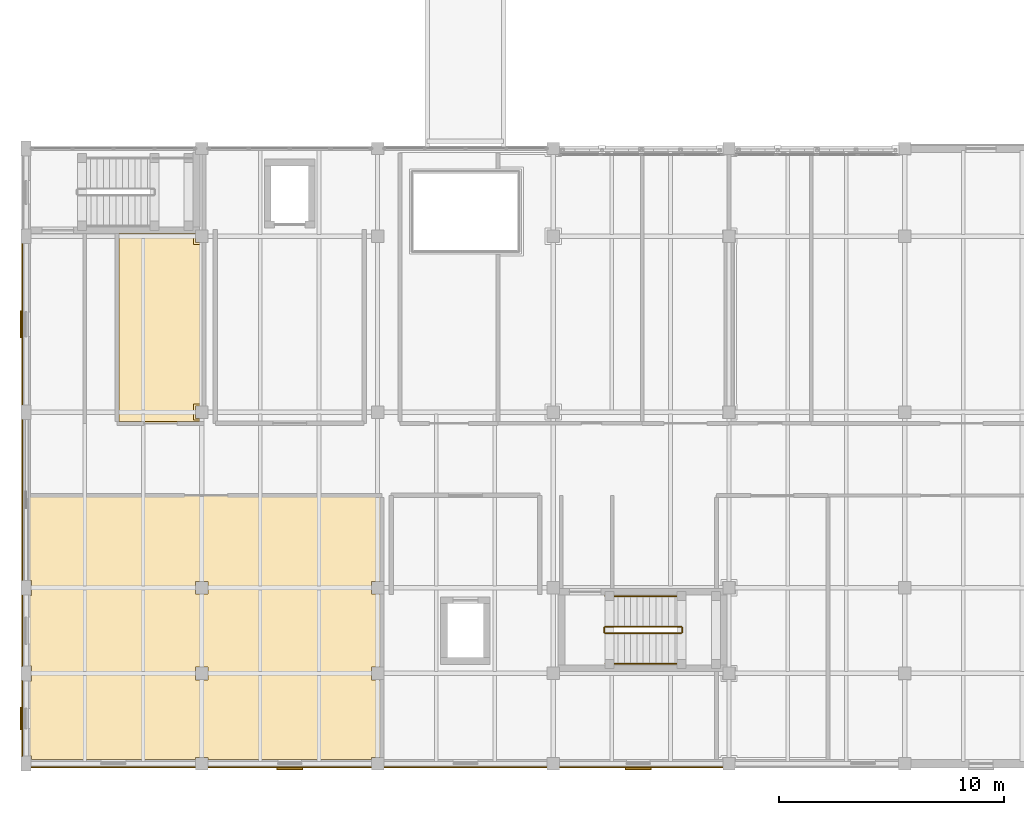
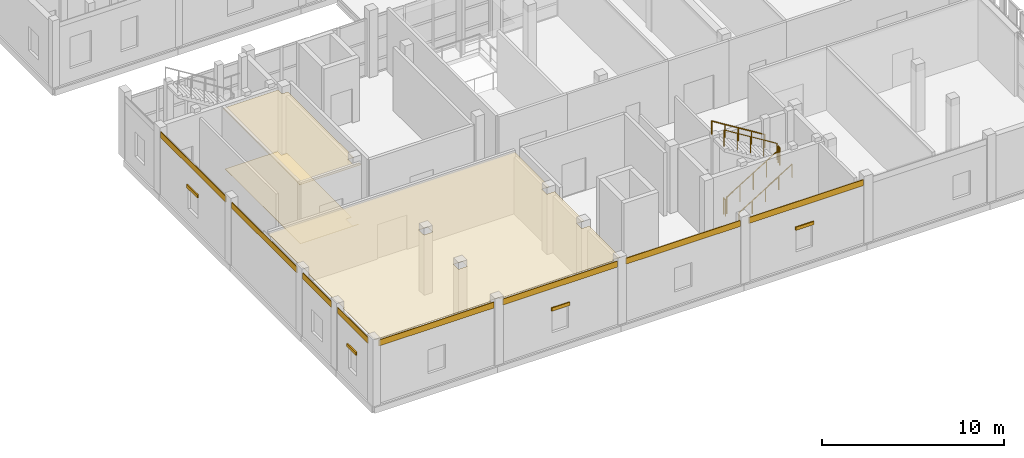
# One storey, part 102 of 119: 11 coverings, 6 railings, 4 shading devices.
"""IFC4 building model written with IfcOpenShell, lengths in metres."""

from ifc_helpers import new_model, si_unit, direction, frame, origin, origin_2d, place, context, subcontext, project, spatial, polyline, rectangle, circle, outline, extrude, material, layer, layer_set, type_object, element, save


model = new_model("IFC4")

# Units and contexts
model_context = context("Model", 3, precision=1e-05, world=origin(), true_north=direction((0.0, 1.0)))
body_context = subcontext(model_context, "Body", "Model", "MODEL_VIEW")
ifc_project = project(units=[si_unit("LENGTHUNIT", "METRE"), si_unit("AREAUNIT", "SQUARE_METRE"), si_unit("VOLUMEUNIT", "CUBIC_METRE"), si_unit("PLANEANGLEUNIT", "RADIAN"), si_unit("MASSUNIT", "GRAM", prefix="KILO")], contexts=[model_context])

# Site, building, storey
site_placement = place(None, origin())
site = spatial("IfcSite", under=ifc_project, at=site_placement, CompositionType="ELEMENT")
building_placement = place(site_placement, origin())
building = spatial("IfcBuilding", under=site, at=building_placement, Name="Celorna Specialist Clinic", CompositionType="ELEMENT")
storey_placement = place(building_placement, frame((0.0, 0.0, 9.60009765625)))
storey = spatial("IfcBuildingStorey", under=building, at=storey_placement, Name="L02", CompositionType="ELEMENT", Elevation=9.60009765625)

# Coverings
ifc_material_1 = material(Name="Hygienic acoustic mineral-fibre ceiling")
ifc_layer_1 = layer(ifc_material_1, 0.030029296875, Name="Hygienic acoustic mineral-fibre ceiling")
ifc_layer_set_1 = layer_set([ifc_layer_1], Name="Hygienic acoustic mineral-fibre ceiling")
covering_type_1 = type_object("IfcCoveringType", Name="CE-01", PredefinedType="CEILING", material=ifc_layer_set_1)
covering_1_placement = place(storey_placement, frame((0.0, 0.0, 4.02978515625)))
element("IfcCovering", 1, at=covering_1_placement, inside=storey, type_object=covering_type_1, Name="Acoustic ceiling L02-054", PredefinedType="CEILING", context=body_context, shape_type="SweptSolid", body=[
    extrude(outline(polyline([(0.175048828125, 3.669921875), (0.22998046875, 3.669921875), (0.22998046875, 4.330078125), (0.175048828125, 4.330078125), (0.175048828125, 7.469970703125), (0.22998046875, 7.469970703125), (0.22998046875, 8.1298828125), (0.175048828125, 8.1298828125), (0.175048828125, 11.9150390625), (15.804931640625, 11.9150390625), (15.804931640625, 8.080078125), (15.320068359375, 8.080078125), (15.320068359375, 7.52001953125), (15.804931640625, 7.52001953125), (15.804931640625, 4.280029296875), (15.320068359375, 4.280029296875), (15.320068359375, 3.719970703125), (15.804931640625, 3.719970703125), (15.804931640625, 0.280029296875), (15.320068359375, 0.280029296875), (15.320068359375, 0.175048828125), (8.080078125, 0.175048828125), (8.080078125, 0.280029296875), (7.52001953125, 0.280029296875), (7.52001953125, 0.175048828125), (0.22998046875, 0.175048828125), (0.22998046875, 0.330078125), (0.175048828125, 0.330078125), (0.175048828125, 3.669921875)]), holes=[polyline([(8.080078125, 4.280029296875), (7.52001953125, 4.280029296875), (7.52001953125, 3.719970703125), (8.080078125, 3.719970703125), (8.080078125, 4.280029296875)]), polyline([(8.080078125, 8.080078125), (7.52001953125, 8.080078125), (7.52001953125, 7.52001953125), (8.080078125, 7.52001953125), (8.080078125, 8.080078125)])]), origin(), (0.0, 0.0, 1.0), 0.030029296875),
])
covering_2_placement = place(storey_placement, frame((0.0, 0.0, 4.02978515625)))
element("IfcCovering", 2, at=covering_2_placement, inside=storey, type_object=covering_type_1, Name="Acoustic ceiling L02-057", PredefinedType="CEILING", context=body_context, shape_type="SweptSolid", body=[
    extrude(outline(polyline([(7.905029296875, 15.0849609375), (4.02490234375, 15.0849609375), (4.02490234375, 23.534912109375), (7.52001953125, 23.534912109375), (7.52001953125, 23.1201171875), (7.905029296875, 23.1201171875), (7.905029296875, 15.8798828125), (7.52001953125, 15.8798828125), (7.52001953125, 15.320068359375), (7.905029296875, 15.320068359375), (7.905029296875, 15.0849609375)])), origin(), (0.0, 0.0, 1.0), 0.030029296875),
])
ifc_material_2 = material(Name="Pero Pinheiro Lioz limestone rainscreen cladding", Category="masonry")
ifc_layer_2 = layer(ifc_material_2, 0.044921875, Name="Pero Pinheiro Lioz limestone rainscreen cladding")
ifc_layer_set_2 = layer_set([ifc_layer_2], Name="Pero Pinheiro Lioz limestone rainscreen cladding")
covering_type_2 = type_object("IfcCoveringType", Name="CL-01", PredefinedType="CLADDING", material=ifc_layer_set_2)
covering_3_placement = place(storey_placement, frame((3.875, -0.16748046875, 3.83984375), z_axis=(0.0, 0.0, 1.0), x_axis=(-1.0, 0.0, 0.0)))
element("IfcCovering", 3, at=covering_3_placement, inside=storey, type_object=covering_type_2, Name="Lioz spandrel cladding #336", PredefinedType="CLADDING", context=body_context, shape_type="SweptSolid", body=[
    extrude(rectangle(XDim=7.300048828125, YDim=0.044921875, at=origin_2d()), origin(), (0.0, 0.0, 1.0), 0.39990234375),
])
for number, where, z_axis, x_axis, name in (
    (4, (11.699951171875, -0.16748046875, 3.83984375), (0.0, 0.0, 1.0), (-1.0, 0.0, 0.0), "Lioz spandrel cladding #337"),
    (5, (19.5, -0.16748046875, 3.83984375), (0.0, 0.0, 1.0), (-1.0, 0.0, 0.0), "Lioz spandrel cladding #338"),
    (6, (27.300048828125, -0.16748046875, 3.83984375), (0.0, 0.0, 1.0), (-1.0, 0.0, 0.0), "Lioz spandrel cladding #339"),
):
    element("IfcCovering", number, at=place(storey_placement, frame(where, z_axis=z_axis, x_axis=x_axis)), inside=storey, type_object=covering_type_2, Name=name, PredefinedType="CLADDING", context=body_context, shape_type="SweptSolid", body=[
        extrude(rectangle(XDim=7.25, YDim=0.044921875, at=origin_2d()), origin(), (0.0, 0.0, 1.0), 0.39990234375),
    ])
covering_4_placement = place(storey_placement, frame((-0.16748046875, 2.0, 3.83984375), z_axis=(0.0, 0.0, 1.0), x_axis=(0.0, 1.0, 0.0)))
element("IfcCovering", 7, at=covering_4_placement, inside=storey, type_object=covering_type_2, Name="Lioz spandrel cladding #343", PredefinedType="CLADDING", context=body_context, shape_type="SweptSolid", body=[
    extrude(rectangle(XDim=3.35009765625, YDim=0.044921875, at=origin_2d()), origin(), (0.0, 0.0, 1.0), 0.39990234375),
])
covering_5_placement = place(storey_placement, frame((-0.16748046875, 5.89990234375, 3.83984375), z_axis=(0.0, 0.0, 1.0), x_axis=(0.0, 1.0, 0.0)))
element("IfcCovering", 8, at=covering_5_placement, inside=storey, type_object=covering_type_2, Name="Lioz spandrel cladding #344", PredefinedType="CLADDING", context=body_context, shape_type="SweptSolid", body=[
    extrude(rectangle(XDim=3.14990234375, YDim=0.044921875, at=origin_2d()), origin(), (0.0, 0.0, 1.0), 0.39990234375),
])
for number, where, z_axis, x_axis, name in (
    (9, (-0.16748046875, 11.699951171875, 3.83984375), (0.0, 0.0, 1.0), (0.0, 1.0, 0.0), "Lioz spandrel cladding #345"),
    (10, (-0.16748046875, 19.5, 3.83984375), (0.0, 0.0, 1.0), (0.0, 1.0, 0.0), "Lioz spandrel cladding #346"),
):
    element("IfcCovering", number, at=place(storey_placement, frame(where, z_axis=z_axis, x_axis=x_axis)), inside=storey, type_object=covering_type_2, Name=name, PredefinedType="CLADDING", context=body_context, shape_type="SweptSolid", body=[
        extrude(rectangle(XDim=7.14990234375, YDim=0.044921875, at=origin_2d()), origin(), (0.0, 0.0, 1.0), 0.39990234375),
    ])
ifc_material_3 = material(Name="Seamless antimicrobial clinical vinyl and Lioz terrazzo flooring")
ifc_layer_3 = layer(ifc_material_3, 0.02001953125, Name="Seamless antimicrobial clinical vinyl and Lioz terrazzo flooring")
ifc_layer_set_3 = layer_set([ifc_layer_3], Name="Seamless antimicrobial clinical vinyl and Lioz terrazzo flooring")
covering_type_3 = type_object("IfcCoveringType", Name="FL-01", PredefinedType="FLOORING", material=ifc_layer_set_3)
covering_6_placement = place(storey_placement, origin())
element("IfcCovering", 11, at=covering_6_placement, inside=storey, type_object=covering_type_3, Name="Antimicrobial clinical flooring L02-057", PredefinedType="FLOORING", context=body_context, shape_type="SweptSolid", body=[
    extrude(outline(polyline([(7.81494140625, 15.9599609375), (7.43994140625, 15.9599609375), (7.43994140625, 15.239990234375), (7.81494140625, 15.239990234375), (7.81494140625, 15.175048828125), (4.114990234375, 15.175048828125), (4.114990234375, 23.445068359375), (7.43994140625, 23.445068359375), (7.43994140625, 23.0400390625), (7.81494140625, 23.0400390625), (7.81494140625, 15.9599609375)])), origin(), (0.0, 0.0, 1.0), 0.02001953125),
])

# Railings
ifc_material_4 = material(Name="Powder-coated steel S355", Category="steel")
railing_type_1 = type_object("IfcRailingType", Name="GR-01", PredefinedType="GUARDRAIL", material=ifc_material_4)
railing_1_placement = place(storey_placement, frame((25.7099609375, 5.780029296875, 0.173095703125)))
element("IfcRailing", 12, at=railing_1_placement, inside=storey, type_object=railing_type_1, Name="L02 ST-05 stair guard 1", PredefinedType="GUARDRAIL", context=body_context, shape_type="SweptSolid", body=[
    extrude(circle(Radius=0.02392578125, at=origin_2d()), frame((0.0, 0.0, 1.09619140625), z_axis=(0.850623216509, 0.0, 0.525775754039), x_axis=(0.0, 1.0, 0.0)), (0.0, 0.0, 1.0), 3.9501953125),
    extrude(circle(Radius=0.02099609375, at=origin_2d()), origin(), (0.0, 0.0, 1.0), 1.072021484375),
    extrude(circle(Radius=0.02099609375, at=origin_2d()), frame((0.840087890625, 0.0, 0.519287109375)), (0.0, 0.0, 1.0), 1.072021484375),
    extrude(circle(Radius=0.02099609375, at=origin_2d()), frame((1.68017578125, 0.0, 1.03857421875)), (0.0, 0.0, 1.0), 1.072021484375),
    extrude(circle(Radius=0.02099609375, at=origin_2d()), frame((2.52001953125, 0.0, 1.5576171875)), (0.0, 0.0, 1.0), 1.072021484375),
    extrude(circle(Radius=0.02099609375, at=origin_2d()), frame((3.360107421875, 0.0, 2.076904296875)), (0.0, 0.0, 1.0), 1.072021484375),
])
railing_2_placement = place(storey_placement, frame((29.1201171875, 5.830078125, 2.25)))
element("IfcRailing", 13, at=railing_2_placement, inside=storey, type_object=railing_type_1, Name="L02 ST-05 stair guard 2", PredefinedType="GUARDRAIL", context=body_context, shape_type="SweptSolid", body=[
    extrude(circle(Radius=0.02392578125, at=origin_2d()), frame((0.0, 0.0, 1.09619140625), z_axis=(0.0, 1.0, 0.0), x_axis=(-1.0, 0.0, 0.0)), (0.0, 0.0, 1.0), 0.199951171875),
    extrude(circle(Radius=0.02099609375, at=origin_2d()), origin(), (0.0, 0.0, 1.0), 1.072021484375),
    extrude(circle(Radius=0.02099609375, at=origin_2d()), frame((0.0, 0.199951171875, 0.0)), (0.0, 0.0, 1.0), 1.072021484375),
])
railing_3_placement = place(storey_placement, frame((29.070068359375, 6.080078125, 2.423095703125)))
element("IfcRailing", 14, at=railing_3_placement, inside=storey, type_object=railing_type_1, Name="L02 ST-05 stair guard 3", PredefinedType="GUARDRAIL", context=body_context, shape_type="SweptSolid", body=[
    extrude(circle(Radius=0.02392578125, at=origin_2d()), frame((0.0, 0.0, 1.09619140625), z_axis=(-0.850623216509, 0.0, 0.525775754039), x_axis=(0.0, -1.0, 0.0)), (0.0, 0.0, 1.0), 3.9501953125),
    extrude(circle(Radius=0.02099609375, at=origin_2d()), origin(), (0.0, 0.0, 1.0), 1.072021484375),
    extrude(circle(Radius=0.02099609375, at=origin_2d()), frame((-0.840087890625, 0.0, 0.519287109375)), (0.0, 0.0, 1.0), 1.072021484375),
    extrude(circle(Radius=0.02099609375, at=origin_2d()), frame((-1.68017578125, 0.0, 1.03857421875)), (0.0, 0.0, 1.0), 1.072021484375),
    extrude(circle(Radius=0.02099609375, at=origin_2d()), frame((-2.52001953125, 0.0, 1.5576171875)), (0.0, 0.0, 1.0), 1.072021484375),
    extrude(circle(Radius=0.02099609375, at=origin_2d()), frame((-3.360107421875, 0.0, 2.076904296875)), (0.0, 0.0, 1.0), 1.072021484375),
])
railing_4_placement = place(storey_placement, frame((25.659912109375, 5.830078125, 0.0)))
element("IfcRailing", 15, at=railing_4_placement, inside=storey, type_object=railing_type_1, Name="L02 ST-05 stair guard 4", PredefinedType="GUARDRAIL", context=body_context, shape_type="SweptSolid", body=[
    extrude(circle(Radius=0.02392578125, at=origin_2d()), frame((0.0, 0.0, 1.09619140625), z_axis=(0.0, 1.0, 0.0), x_axis=(-1.0, 0.0, 0.0)), (0.0, 0.0, 1.0), 0.199951171875),
    extrude(circle(Radius=0.02099609375, at=origin_2d()), origin(), (0.0, 0.0, 1.0), 1.072021484375),
    extrude(circle(Radius=0.02099609375, at=origin_2d()), frame((0.0, 0.199951171875, 0.0)), (0.0, 0.0, 1.0), 1.072021484375),
])
ifc_material_5 = material(Name="Brushed stainless steel handrail", Category="steel")
railing_type_2 = type_object("IfcRailingType", Name="HR-01", PredefinedType="HANDRAIL", material=ifc_material_5)
railing_5_placement = place(storey_placement, frame((25.7099609375, 4.429931640625, 0.173095703125)))
element("IfcRailing", 16, at=railing_5_placement, inside=storey, type_object=railing_type_2, Name="L02 ST-05 stair handrail 1", PredefinedType="HANDRAIL", context=body_context, shape_type="SweptSolid", body=[
    extrude(circle(Radius=0.02392578125, at=origin_2d()), frame((0.0, 0.0, 0.8759765625), z_axis=(0.850623216509, 0.0, 0.525775754039), x_axis=(0.0, 1.0, 0.0)), (0.0, 0.0, 1.0), 3.9501953125),
    extrude(circle(Radius=0.02099609375, at=origin_2d()), origin(), (0.0, 0.0, 1.0), 0.851806640625),
    extrude(circle(Radius=0.02099609375, at=origin_2d()), frame((0.840087890625, 0.0, 0.519287109375)), (0.0, 0.0, 1.0), 0.851806640625),
    extrude(circle(Radius=0.02099609375, at=origin_2d()), frame((1.68017578125, 0.0, 1.03857421875)), (0.0, 0.0, 1.0), 0.851806640625),
    extrude(circle(Radius=0.02099609375, at=origin_2d()), frame((2.52001953125, 0.0, 1.5576171875)), (0.0, 0.0, 1.0), 0.851806640625),
    extrude(circle(Radius=0.02099609375, at=origin_2d()), frame((3.360107421875, 0.0, 2.076904296875)), (0.0, 0.0, 1.0), 0.851806640625),
])
railing_6_placement = place(storey_placement, frame((29.070068359375, 7.429931640625, 2.423095703125)))
element("IfcRailing", 17, at=railing_6_placement, inside=storey, type_object=railing_type_2, Name="L02 ST-05 stair handrail 2", PredefinedType="HANDRAIL", context=body_context, shape_type="SweptSolid", body=[
    extrude(circle(Radius=0.02392578125, at=origin_2d()), frame((0.0, 0.0, 0.8759765625), z_axis=(-0.850623216509, 0.0, 0.525775754039), x_axis=(0.0, -1.0, 0.0)), (0.0, 0.0, 1.0), 3.9501953125),
    extrude(circle(Radius=0.02099609375, at=origin_2d()), origin(), (0.0, 0.0, 1.0), 0.851806640625),
    extrude(circle(Radius=0.02099609375, at=origin_2d()), frame((-0.840087890625, 0.0, 0.519287109375)), (0.0, 0.0, 1.0), 0.851806640625),
    extrude(circle(Radius=0.02099609375, at=origin_2d()), frame((-1.68017578125, 0.0, 1.03857421875)), (0.0, 0.0, 1.0), 0.851806640625),
    extrude(circle(Radius=0.02099609375, at=origin_2d()), frame((-2.52001953125, 0.0, 1.5576171875)), (0.0, 0.0, 1.0), 0.851806640625),
    extrude(circle(Radius=0.02099609375, at=origin_2d()), frame((-3.360107421875, 0.0, 2.076904296875)), (0.0, 0.0, 1.0), 0.851806640625),
])

# Shading devices
ifc_material_6 = material(Name="Anodized aluminium solar louvre", Category="aluminium")
ifc_layer_4 = layer(ifc_material_6, 0.080078125, Name="Anodized aluminium solar louvre")
ifc_layer_set_4 = layer_set([ifc_layer_4], Name="Anodized aluminium solar louvre")
shading_device_type = type_object("IfcShadingDeviceType", Name="LV-01", PredefinedType="JALOUSIE", material=ifc_layer_set_4)
for number, where, z_axis, x_axis, name in (
    (18, (11.699951171875, -0.22998046875, 2.39013671875), (0.0, 0.0, 1.0), (-1.0, 0.0, 0.0), "External solar louvre LV-01 #204"),
    (19, (27.16748046875, -0.22998046875, 2.39013671875), (0.0, 0.0, 1.0), (-1.0, 0.0, 0.0), "External solar louvre LV-01 #206"),
):
    element("IfcShadingDevice", number, at=place(storey_placement, frame(where, z_axis=z_axis, x_axis=x_axis)), inside=storey, type_object=shading_device_type, Name=name, PredefinedType="JALOUSIE", context=body_context, shape_type="SweptSolid", body=[
        extrude(rectangle(XDim=1.14990234375, YDim=0.080078125, at=origin_2d()), origin(), (0.0, 0.0, 1.0), 0.219970703125),
    ])
shading_device_1_placement = place(storey_placement, frame((-0.22998046875, 2.0, 2.33984375), z_axis=(0.0, 0.0, 1.0), x_axis=(0.0, 1.0, 0.0)))
element("IfcShadingDevice", 20, at=shading_device_1_placement, inside=storey, type_object=shading_device_type, Name="External solar louvre LV-01 #210", PredefinedType="JALOUSIE", context=body_context, shape_type="SweptSolid", body=[
    extrude(rectangle(XDim=1.0, YDim=0.080078125, at=origin_2d()), origin(), (0.0, 0.0, 1.0), 0.219970703125),
])
shading_device_2_placement = place(storey_placement, frame((-0.22998046875, 19.5, 2.33984375), z_axis=(0.0, 0.0, 1.0), x_axis=(0.0, 1.0, 0.0)))
element("IfcShadingDevice", 21, at=shading_device_2_placement, inside=storey, type_object=shading_device_type, Name="External solar louvre LV-01 #212", PredefinedType="JALOUSIE", context=body_context, shape_type="SweptSolid", body=[
    extrude(rectangle(XDim=1.199951171875, YDim=0.080078125, at=origin_2d()), origin(), (0.0, 0.0, 1.0), 0.219970703125),
])

save(model, "model.ifc")
